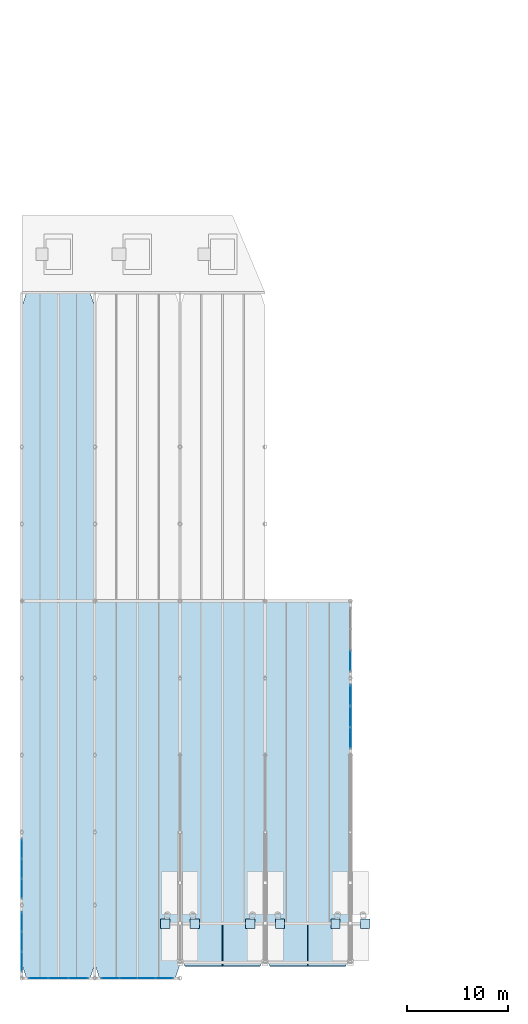
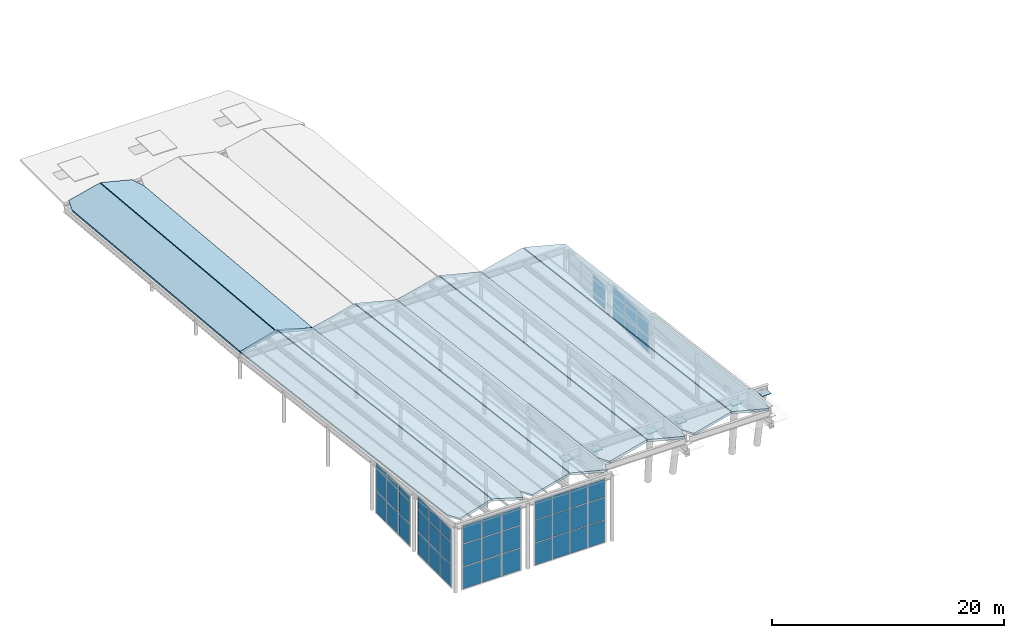
# One storey, part 11 of 14: 53 plates, 10 slabs, 6 elements without a shape of their own.
"""IFC4 building model written with IfcOpenShell, lengths in metres."""

from ifc_helpers import new_model, si_unit, direction, frame, origin, origin_2d, place, context, subcontext, project, spatial, polyline, rectangle, outline, extrude, material, layer, layer_set, type_object, element, aggregate, save


model = new_model("IFC4")

# Units and contexts
model_context = context("Model", 3, precision=1e-05, world=origin(), true_north=direction((0.0, 1.0)))
body_context = subcontext(model_context, "Body", "Model", "MODEL_VIEW")
ifc_project = project(units=[si_unit("LENGTHUNIT", "METRE"), si_unit("AREAUNIT", "SQUARE_METRE"), si_unit("VOLUMEUNIT", "CUBIC_METRE"), si_unit("PLANEANGLEUNIT", "RADIAN"), si_unit("MASSUNIT", "GRAM", prefix="KILO")], contexts=[model_context])

# Site, building, storey
site_placement = place(None, origin())
site = spatial("IfcSite", under=ifc_project, at=site_placement, CompositionType="ELEMENT")
building_placement = place(site_placement, origin())
building = spatial("IfcBuilding", under=site, at=building_placement, Name="Xicomal Pleat Aquarium", CompositionType="ELEMENT")
storey_placement = place(building_placement, frame((0.0, 0.0, 24.0)))
storey = spatial("IfcBuildingStorey", under=building, at=storey_placement, Name="RF", CompositionType="ELEMENT", Elevation=24.0)

# Curtain wall, plates
ifc_material_1 = material(Name="Bronze anodized aluminium 6063-T6", Category="aluminium")
ifc_layer_1 = layer(ifc_material_1, 0.159912109375)
ifc_layer_set_1 = layer_set([ifc_layer_1], Name="Bronze anodized aluminium 6063-T6")
curtain_wall_type_1 = type_object("IfcCurtainWallType", Name="CW-SYS-03", PredefinedType="NOTDEFINED", material=ifc_layer_set_1)
curtain_wall_1_placement = place(storey_placement, origin())
curtain_wall_1 = element("IfcCurtainWall", 1, at=curtain_wall_1_placement, inside=storey, type_object=curtain_wall_type_1, Name="RF pleated crown clerestory curtain wall CW-RF-03", PredefinedType="NOTDEFINED")
ifc_material_2 = material(Name="Insulated low-E laminated glass", Category="glass")
ifc_layer_2 = layer(ifc_material_2, 0.028076171875)
ifc_layer_set_2 = layer_set([ifc_layer_2], Name="Insulated low-E laminated glass")
plate_type_1 = type_object("IfcPlateType", Name="CWP-GLZ-28", PredefinedType="CURTAIN_PANEL", material=ifc_layer_set_2)
plate_1_placement = place(storey_placement, frame((11.74609375, 0.800048828125, 0.06494140625), z_axis=(0.0, 0.0, 1.0), x_axis=(1.0, 0.0, 0.0)))
plate_1 = element("IfcPlate", 2, at=plate_1_placement, type_object=plate_type_1, Name="CW-03 panel 1.1", PredefinedType="CURTAIN_PANEL", context=body_context, shape_type="SweptSolid", body=[
    extrude(rectangle(XDim=1.6826171875, YDim=0.028076171875, at=origin_2d()), origin(), (0.0, 0.0, 1.0), 2.302490234375),
])
plate_2_placement = place(storey_placement, frame((11.74609375, 0.800048828125, 2.4326171875), z_axis=(0.0, 0.0, 1.0), x_axis=(1.0, 0.0, 0.0)))
plate_2 = element("IfcPlate", 3, at=plate_2_placement, type_object=plate_type_1, Name="CW-03 panel 1.2", PredefinedType="CURTAIN_PANEL", context=body_context, shape_type="SweptSolid", body=[
    extrude(rectangle(XDim=1.6826171875, YDim=0.028076171875, at=origin_2d()), origin(), (0.0, 0.0, 1.0), 2.3349609375),
])
plate_3_placement = place(storey_placement, frame((11.74609375, 0.800048828125, 4.83251953125), z_axis=(0.0, 0.0, 1.0), x_axis=(1.0, 0.0, 0.0)))
plate_3 = element("IfcPlate", 4, at=plate_3_placement, type_object=plate_type_1, Name="CW-03 panel 1.3", PredefinedType="CURTAIN_PANEL", context=body_context, shape_type="SweptSolid", body=[
    extrude(rectangle(XDim=1.6826171875, YDim=0.028076171875, at=origin_2d()), origin(), (0.0, 0.0, 1.0), 1.902587890625),
])
plate_4_placement = place(storey_placement, frame((13.510009765625, 0.800048828125, 0.06494140625), z_axis=(0.0, 0.0, 1.0), x_axis=(1.0, 0.0, 0.0)))
plate_4 = element("IfcPlate", 5, at=plate_4_placement, type_object=plate_type_1, Name="CW-03 panel 2.1", PredefinedType="CURTAIN_PANEL", context=body_context, shape_type="SweptSolid", body=[
    extrude(rectangle(XDim=1.715087890625, YDim=0.028076171875, at=origin_2d()), origin(), (0.0, 0.0, 1.0), 2.302490234375),
])
plate_5_placement = place(storey_placement, frame((13.510009765625, 0.800048828125, 2.4326171875), z_axis=(0.0, 0.0, 1.0), x_axis=(1.0, 0.0, 0.0)))
plate_5 = element("IfcPlate", 6, at=plate_5_placement, type_object=plate_type_1, Name="CW-03 panel 2.2", PredefinedType="CURTAIN_PANEL", context=body_context, shape_type="SweptSolid", body=[
    extrude(rectangle(XDim=1.715087890625, YDim=0.028076171875, at=origin_2d()), origin(), (0.0, 0.0, 1.0), 2.3349609375),
])
plate_6_placement = place(storey_placement, frame((13.510009765625, 0.800048828125, 4.83251953125), z_axis=(0.0, 0.0, 1.0), x_axis=(1.0, 0.0, 0.0)))
plate_6 = element("IfcPlate", 7, at=plate_6_placement, type_object=plate_type_1, Name="CW-03 panel 2.3", PredefinedType="CURTAIN_PANEL", context=body_context, shape_type="SweptSolid", body=[
    extrude(rectangle(XDim=1.715087890625, YDim=0.028076171875, at=origin_2d()), origin(), (0.0, 0.0, 1.0), 1.902587890625),
])
plate_7_placement = place(storey_placement, frame((15.2900390625, 0.800048828125, 0.06494140625), z_axis=(0.0, 0.0, 1.0), x_axis=(1.0, 0.0, 0.0)))
plate_7 = element("IfcPlate", 8, at=plate_7_placement, type_object=plate_type_1, Name="CW-03 panel 3.1", PredefinedType="CURTAIN_PANEL", context=body_context, shape_type="SweptSolid", body=[
    extrude(rectangle(XDim=1.715087890625, YDim=0.028076171875, at=origin_2d()), origin(), (0.0, 0.0, 1.0), 2.302490234375),
])
plate_8_placement = place(storey_placement, frame((15.2900390625, 0.800048828125, 2.4326171875), z_axis=(0.0, 0.0, 1.0), x_axis=(1.0, 0.0, 0.0)))
plate_8 = element("IfcPlate", 9, at=plate_8_placement, type_object=plate_type_1, Name="CW-03 panel 3.2", PredefinedType="CURTAIN_PANEL", context=body_context, shape_type="SweptSolid", body=[
    extrude(rectangle(XDim=1.715087890625, YDim=0.028076171875, at=origin_2d()), origin(), (0.0, 0.0, 1.0), 2.3349609375),
])
plate_9_placement = place(storey_placement, frame((15.2900390625, 0.800048828125, 4.83251953125), z_axis=(0.0, 0.0, 1.0), x_axis=(1.0, 0.0, 0.0)))
plate_9 = element("IfcPlate", 10, at=plate_9_placement, type_object=plate_type_1, Name="CW-03 panel 3.3", PredefinedType="CURTAIN_PANEL", context=body_context, shape_type="SweptSolid", body=[
    extrude(rectangle(XDim=1.715087890625, YDim=0.028076171875, at=origin_2d()), origin(), (0.0, 0.0, 1.0), 1.902587890625),
])
plate_10_placement = place(storey_placement, frame((17.0537109375, 0.800048828125, 0.06494140625), z_axis=(0.0, 0.0, 1.0), x_axis=(1.0, 0.0, 0.0)))
plate_10 = element("IfcPlate", 11, at=plate_10_placement, type_object=plate_type_1, Name="CW-03 panel 4.1", PredefinedType="CURTAIN_PANEL", context=body_context, shape_type="SweptSolid", body=[
    extrude(rectangle(XDim=1.6826171875, YDim=0.028076171875, at=origin_2d()), origin(), (0.0, 0.0, 1.0), 2.302490234375),
])
plate_11_placement = place(storey_placement, frame((17.0537109375, 0.800048828125, 2.4326171875), z_axis=(0.0, 0.0, 1.0), x_axis=(1.0, 0.0, 0.0)))
plate_11 = element("IfcPlate", 12, at=plate_11_placement, type_object=plate_type_1, Name="CW-03 panel 4.2", PredefinedType="CURTAIN_PANEL", context=body_context, shape_type="SweptSolid", body=[
    extrude(rectangle(XDim=1.6826171875, YDim=0.028076171875, at=origin_2d()), origin(), (0.0, 0.0, 1.0), 2.3349609375),
])
plate_12_placement = place(storey_placement, frame((17.0537109375, 0.800048828125, 4.83251953125), z_axis=(0.0, 0.0, 1.0), x_axis=(1.0, 0.0, 0.0)))
plate_12 = element("IfcPlate", 13, at=plate_12_placement, type_object=plate_type_1, Name="CW-03 panel 4.3", PredefinedType="CURTAIN_PANEL", context=body_context, shape_type="SweptSolid", body=[
    extrude(rectangle(XDim=1.6826171875, YDim=0.028076171875, at=origin_2d()), origin(), (0.0, 0.0, 1.0), 1.902587890625),
])
aggregate(curtain_wall_1, [plate_1, plate_2, plate_3, plate_4, plate_5, plate_6, plate_7, plate_8, plate_9, plate_10, plate_11, plate_12])

curtain_wall_2_placement = place(storey_placement, origin())
curtain_wall_2 = element("IfcCurtainWall", 14, at=curtain_wall_2_placement, inside=storey, type_object=curtain_wall_type_1, Name="RF pleated crown clerestory curtain wall CW-RF-06", PredefinedType="NOTDEFINED")
plate_13_placement = place(storey_placement, frame((35.39990234375, 32.109619140625, 0.06494140625), z_axis=(0.0, 0.0, 1.0), x_axis=(0.0, 1.0, 0.0)))
plate_13 = element("IfcPlate", 15, at=plate_13_placement, type_object=plate_type_1, Name="CW-03 panel 1.1", PredefinedType="CURTAIN_PANEL", context=body_context, shape_type="SweptSolid", body=[
    extrude(rectangle(XDim=2.00927734375, YDim=0.028076171875, at=origin_2d()), origin(), (0.0, 0.0, 1.0), 1.202392578125),
])
plate_14_placement = place(storey_placement, frame((35.39990234375, 32.109619140625, 1.33251953125), z_axis=(0.0, 0.0, 1.0), x_axis=(0.0, 1.0, 0.0)))
plate_14 = element("IfcPlate", 16, at=plate_14_placement, type_object=plate_type_1, Name="CW-03 panel 1.2", PredefinedType="CURTAIN_PANEL", context=body_context, shape_type="SweptSolid", body=[
    extrude(rectangle(XDim=2.00927734375, YDim=0.028076171875, at=origin_2d()), origin(), (0.0, 0.0, 1.0), 1.202392578125),
])
aggregate(curtain_wall_2, [plate_13, plate_14])

ifc_material_3 = material(Name="Bronze anodized aluminium 6063-T6", Category="aluminium")
ifc_layer_3 = layer(ifc_material_3, 0.159912109375)
ifc_layer_set_3 = layer_set([ifc_layer_3], Name="Bronze anodized aluminium 6063-T6")
curtain_wall_type_2 = type_object("IfcCurtainWallType", Name="CW-SYS-04", PredefinedType="NOTDEFINED", material=ifc_layer_set_3)
curtain_wall_3_placement = place(storey_placement, origin())
curtain_wall_3 = element("IfcCurtainWall", 17, at=curtain_wall_3_placement, inside=storey, type_object=curtain_wall_type_2, Name="RF pleated crown clerestory curtain wall CW-RF-01", PredefinedType="NOTDEFINED")
ifc_material_4 = material(Name="Insulated low-E laminated glass", Category="glass")
ifc_layer_4 = layer(ifc_material_4, 0.031982421875)
ifc_layer_set_4 = layer_set([ifc_layer_4], Name="Insulated low-E laminated glass")
plate_type_2 = type_object("IfcPlateType", Name="CWP-GLZ-32", PredefinedType="CURTAIN_PANEL", material=ifc_layer_set_4)
plate_15_placement = place(storey_placement, frame((3.0, 2.4453125, 0.074951171875), z_axis=(0.0, 0.0, 1.0), x_axis=(0.0, 1.0, 0.0)))
plate_15 = element("IfcPlate", 18, at=plate_15_placement, type_object=plate_type_2, Name="CW-04 panel 1.1", PredefinedType="CURTAIN_PANEL", context=body_context, shape_type="SweptSolid", body=[
    extrude(rectangle(XDim=1.86083984375, YDim=0.031982421875, at=origin_2d()), origin(), (0.0, 0.0, 1.0), 2.28759765625),
])
plate_16_placement = place(storey_placement, frame((3.0, 2.4453125, 2.4375), z_axis=(0.0, 0.0, 1.0), x_axis=(0.0, 1.0, 0.0)))
plate_16 = element("IfcPlate", 19, at=plate_16_placement, type_object=plate_type_2, Name="CW-04 panel 1.2", PredefinedType="CURTAIN_PANEL", context=body_context, shape_type="SweptSolid", body=[
    extrude(rectangle(XDim=1.86083984375, YDim=0.031982421875, at=origin_2d()), origin(), (0.0, 0.0, 1.0), 2.324951171875),
])
plate_17_placement = place(storey_placement, frame((3.0, 2.4453125, 4.83740234375), z_axis=(0.0, 0.0, 1.0), x_axis=(0.0, 1.0, 0.0)))
plate_17 = element("IfcPlate", 20, at=plate_17_placement, type_object=plate_type_2, Name="CW-04 panel 1.3", PredefinedType="CURTAIN_PANEL", context=body_context, shape_type="SweptSolid", body=[
    extrude(rectangle(XDim=1.86083984375, YDim=0.031982421875, at=origin_2d()), origin(), (0.0, 0.0, 1.0), 1.28759765625),
])
plate_18_placement = place(storey_placement, frame((3.0, 4.39990234375, 0.074951171875), z_axis=(0.0, 0.0, 1.0), x_axis=(0.0, 1.0, 0.0)))
plate_18 = element("IfcPlate", 21, at=plate_18_placement, type_object=plate_type_2, Name="CW-04 panel 2.1", PredefinedType="CURTAIN_PANEL", context=body_context, shape_type="SweptSolid", body=[
    extrude(rectangle(XDim=1.898193359375, YDim=0.031982421875, at=origin_2d()), origin(), (0.0, 0.0, 1.0), 2.28759765625),
])
plate_19_placement = place(storey_placement, frame((3.0, 4.39990234375, 2.4375), z_axis=(0.0, 0.0, 1.0), x_axis=(0.0, 1.0, 0.0)))
plate_19 = element("IfcPlate", 22, at=plate_19_placement, type_object=plate_type_2, Name="CW-04 panel 2.2", PredefinedType="CURTAIN_PANEL", context=body_context, shape_type="SweptSolid", body=[
    extrude(rectangle(XDim=1.898193359375, YDim=0.031982421875, at=origin_2d()), origin(), (0.0, 0.0, 1.0), 2.324951171875),
])
plate_20_placement = place(storey_placement, frame((3.0, 4.39990234375, 4.83740234375), z_axis=(0.0, 0.0, 1.0), x_axis=(0.0, 1.0, 0.0)))
plate_20 = element("IfcPlate", 23, at=plate_20_placement, type_object=plate_type_2, Name="CW-04 panel 2.3", PredefinedType="CURTAIN_PANEL", context=body_context, shape_type="SweptSolid", body=[
    extrude(rectangle(XDim=1.898193359375, YDim=0.031982421875, at=origin_2d()), origin(), (0.0, 0.0, 1.0), 1.28759765625),
])
plate_21_placement = place(storey_placement, frame((3.0, 6.3544921875, 0.074951171875), z_axis=(0.0, 0.0, 1.0), x_axis=(0.0, 1.0, 0.0)))
plate_21 = element("IfcPlate", 24, at=plate_21_placement, type_object=plate_type_2, Name="CW-04 panel 3.1", PredefinedType="CURTAIN_PANEL", context=body_context, shape_type="SweptSolid", body=[
    extrude(rectangle(XDim=1.86083984375, YDim=0.031982421875, at=origin_2d()), origin(), (0.0, 0.0, 1.0), 2.28759765625),
])
plate_22_placement = place(storey_placement, frame((3.0, 6.3544921875, 2.4375), z_axis=(0.0, 0.0, 1.0), x_axis=(0.0, 1.0, 0.0)))
plate_22 = element("IfcPlate", 25, at=plate_22_placement, type_object=plate_type_2, Name="CW-04 panel 3.2", PredefinedType="CURTAIN_PANEL", context=body_context, shape_type="SweptSolid", body=[
    extrude(rectangle(XDim=1.86083984375, YDim=0.031982421875, at=origin_2d()), origin(), (0.0, 0.0, 1.0), 2.324951171875),
])
plate_23_placement = place(storey_placement, frame((3.0, 6.3544921875, 4.83740234375), z_axis=(0.0, 0.0, 1.0), x_axis=(0.0, 1.0, 0.0)))
plate_23 = element("IfcPlate", 26, at=plate_23_placement, type_object=plate_type_2, Name="CW-04 panel 3.3", PredefinedType="CURTAIN_PANEL", context=body_context, shape_type="SweptSolid", body=[
    extrude(rectangle(XDim=1.86083984375, YDim=0.031982421875, at=origin_2d()), origin(), (0.0, 0.0, 1.0), 1.28759765625),
])
aggregate(curtain_wall_3, [plate_15, plate_16, plate_17, plate_18, plate_19, plate_20, plate_21, plate_22, plate_23])

curtain_wall_4_placement = place(storey_placement, origin())
curtain_wall_4 = element("IfcCurtainWall", 27, at=curtain_wall_4_placement, inside=storey, type_object=curtain_wall_type_2, Name="RF pleated crown clerestory curtain wall CW-RF-04", PredefinedType="NOTDEFINED")
plate_24_placement = place(storey_placement, frame((4.6455078125, 0.800048828125, 0.074951171875), z_axis=(0.0, 0.0, 1.0), x_axis=(1.0, 0.0, 0.0)))
plate_24 = element("IfcPlate", 28, at=plate_24_placement, type_object=plate_type_2, Name="CW-04 panel 1.1", PredefinedType="CURTAIN_PANEL", context=body_context, shape_type="SweptSolid", body=[
    extrude(rectangle(XDim=1.86083984375, YDim=0.031982421875, at=origin_2d()), origin(), (0.0, 0.0, 1.0), 2.28759765625),
])
plate_25_placement = place(storey_placement, frame((4.6455078125, 0.800048828125, 2.4375), z_axis=(0.0, 0.0, 1.0), x_axis=(1.0, 0.0, 0.0)))
plate_25 = element("IfcPlate", 29, at=plate_25_placement, type_object=plate_type_2, Name="CW-04 panel 1.2", PredefinedType="CURTAIN_PANEL", context=body_context, shape_type="SweptSolid", body=[
    extrude(rectangle(XDim=1.86083984375, YDim=0.031982421875, at=origin_2d()), origin(), (0.0, 0.0, 1.0), 2.324951171875),
])
plate_26_placement = place(storey_placement, frame((4.6455078125, 0.800048828125, 4.83740234375), z_axis=(0.0, 0.0, 1.0), x_axis=(1.0, 0.0, 0.0)))
plate_26 = element("IfcPlate", 30, at=plate_26_placement, type_object=plate_type_2, Name="CW-04 panel 1.3", PredefinedType="CURTAIN_PANEL", context=body_context, shape_type="SweptSolid", body=[
    extrude(rectangle(XDim=1.86083984375, YDim=0.031982421875, at=origin_2d()), origin(), (0.0, 0.0, 1.0), 1.887451171875),
])
plate_27_placement = place(storey_placement, frame((6.60009765625, 0.800048828125, 0.074951171875), z_axis=(0.0, 0.0, 1.0), x_axis=(1.0, 0.0, 0.0)))
plate_27 = element("IfcPlate", 31, at=plate_27_placement, type_object=plate_type_2, Name="CW-04 panel 2.1", PredefinedType="CURTAIN_PANEL", context=body_context, shape_type="SweptSolid", body=[
    extrude(rectangle(XDim=1.898193359375, YDim=0.031982421875, at=origin_2d()), origin(), (0.0, 0.0, 1.0), 2.28759765625),
])
plate_28_placement = place(storey_placement, frame((6.60009765625, 0.800048828125, 2.4375), z_axis=(0.0, 0.0, 1.0), x_axis=(1.0, 0.0, 0.0)))
plate_28 = element("IfcPlate", 32, at=plate_28_placement, type_object=plate_type_2, Name="CW-04 panel 2.2", PredefinedType="CURTAIN_PANEL", context=body_context, shape_type="SweptSolid", body=[
    extrude(rectangle(XDim=1.898193359375, YDim=0.031982421875, at=origin_2d()), origin(), (0.0, 0.0, 1.0), 2.324951171875),
])
plate_29_placement = place(storey_placement, frame((6.60009765625, 0.800048828125, 4.83740234375), z_axis=(0.0, 0.0, 1.0), x_axis=(1.0, 0.0, 0.0)))
plate_29 = element("IfcPlate", 33, at=plate_29_placement, type_object=plate_type_2, Name="CW-04 panel 2.3", PredefinedType="CURTAIN_PANEL", context=body_context, shape_type="SweptSolid", body=[
    extrude(rectangle(XDim=1.898193359375, YDim=0.031982421875, at=origin_2d()), origin(), (0.0, 0.0, 1.0), 1.887451171875),
])
plate_30_placement = place(storey_placement, frame((8.5546875, 0.800048828125, 0.074951171875), z_axis=(0.0, 0.0, 1.0), x_axis=(1.0, 0.0, 0.0)))
plate_30 = element("IfcPlate", 34, at=plate_30_placement, type_object=plate_type_2, Name="CW-04 panel 3.1", PredefinedType="CURTAIN_PANEL", context=body_context, shape_type="SweptSolid", body=[
    extrude(rectangle(XDim=1.86083984375, YDim=0.031982421875, at=origin_2d()), origin(), (0.0, 0.0, 1.0), 2.28759765625),
])
plate_31_placement = place(storey_placement, frame((8.5546875, 0.800048828125, 2.4375), z_axis=(0.0, 0.0, 1.0), x_axis=(1.0, 0.0, 0.0)))
plate_31 = element("IfcPlate", 35, at=plate_31_placement, type_object=plate_type_2, Name="CW-04 panel 3.2", PredefinedType="CURTAIN_PANEL", context=body_context, shape_type="SweptSolid", body=[
    extrude(rectangle(XDim=1.86083984375, YDim=0.031982421875, at=origin_2d()), origin(), (0.0, 0.0, 1.0), 2.324951171875),
])
plate_32_placement = place(storey_placement, frame((8.5546875, 0.800048828125, 4.83740234375), z_axis=(0.0, 0.0, 1.0), x_axis=(1.0, 0.0, 0.0)))
plate_32 = element("IfcPlate", 36, at=plate_32_placement, type_object=plate_type_2, Name="CW-04 panel 3.3", PredefinedType="CURTAIN_PANEL", context=body_context, shape_type="SweptSolid", body=[
    extrude(rectangle(XDim=1.86083984375, YDim=0.031982421875, at=origin_2d()), origin(), (0.0, 0.0, 1.0), 1.887451171875),
])
aggregate(curtain_wall_4, [plate_24, plate_25, plate_26, plate_27, plate_28, plate_29, plate_30, plate_31, plate_32])

ifc_material_5 = material(Name="Bronze anodized aluminium 6063-T6", Category="aluminium")
ifc_layer_5 = layer(ifc_material_5, 0.159912109375)
ifc_layer_set_5 = layer_set([ifc_layer_5], Name="Bronze anodized aluminium 6063-T6")
curtain_wall_type_3 = type_object("IfcCurtainWallType", Name="CW-SYS-05", PredefinedType="NOTDEFINED", material=ifc_layer_set_5)
curtain_wall_5_placement = place(storey_placement, origin())
curtain_wall_5 = element("IfcCurtainWall", 37, at=curtain_wall_5_placement, inside=storey, type_object=curtain_wall_type_3, Name="RF pleated crown clerestory curtain wall CW-RF-02", PredefinedType="NOTDEFINED")
ifc_material_6 = material(Name="Insulated low-E laminated glass", Category="glass")
ifc_layer_6 = layer(ifc_material_6, 0.035888671875)
ifc_layer_set_6 = layer_set([ifc_layer_6], Name="Insulated low-E laminated glass")
plate_type_3 = type_object("IfcPlateType", Name="CWP-GLZ-36", PredefinedType="CURTAIN_PANEL", material=ifc_layer_set_6)
plate_33_placement = place(storey_placement, frame((3.0, 9.64794921875, 0.0849609375), z_axis=(0.0, 0.0, 1.0), x_axis=(0.0, 1.0, 0.0)))
plate_33 = element("IfcPlate", 38, at=plate_33_placement, type_object=plate_type_3, Name="CW-05 panel 1.1", PredefinedType="CURTAIN_PANEL", context=body_context, shape_type="SweptSolid", body=[
    extrude(rectangle(XDim=1.845703125, YDim=0.035888671875, at=origin_2d()), origin(), (0.0, 0.0, 1.0), 2.2724609375),
])
plate_34_placement = place(storey_placement, frame((3.0, 9.64794921875, 2.442626953125), z_axis=(0.0, 0.0, 1.0), x_axis=(0.0, 1.0, 0.0)))
plate_34 = element("IfcPlate", 39, at=plate_34_placement, type_object=plate_type_3, Name="CW-05 panel 1.2", PredefinedType="CURTAIN_PANEL", context=body_context, shape_type="SweptSolid", body=[
    extrude(rectangle(XDim=1.845703125, YDim=0.035888671875, at=origin_2d()), origin(), (0.0, 0.0, 1.0), 2.31494140625),
])
plate_35_placement = place(storey_placement, frame((3.0, 9.64794921875, 4.84228515625), z_axis=(0.0, 0.0, 1.0), x_axis=(0.0, 1.0, 0.0)))
plate_35 = element("IfcPlate", 40, at=plate_35_placement, type_object=plate_type_3, Name="CW-05 panel 1.3", PredefinedType="CURTAIN_PANEL", context=body_context, shape_type="SweptSolid", body=[
    extrude(rectangle(XDim=1.845703125, YDim=0.035888671875, at=origin_2d()), origin(), (0.0, 0.0, 1.0), 0.472412109375),
])
plate_36_placement = place(storey_placement, frame((3.0, 11.60009765625, 0.0849609375), z_axis=(0.0, 0.0, 1.0), x_axis=(0.0, 1.0, 0.0)))
plate_36 = element("IfcPlate", 41, at=plate_36_placement, type_object=plate_type_3, Name="CW-05 panel 2.1", PredefinedType="CURTAIN_PANEL", context=body_context, shape_type="SweptSolid", body=[
    extrude(rectangle(XDim=1.88818359375, YDim=0.035888671875, at=origin_2d()), origin(), (0.0, 0.0, 1.0), 2.2724609375),
])
plate_37_placement = place(storey_placement, frame((3.0, 11.60009765625, 2.442626953125), z_axis=(0.0, 0.0, 1.0), x_axis=(0.0, 1.0, 0.0)))
plate_37 = element("IfcPlate", 42, at=plate_37_placement, type_object=plate_type_3, Name="CW-05 panel 2.2", PredefinedType="CURTAIN_PANEL", context=body_context, shape_type="SweptSolid", body=[
    extrude(rectangle(XDim=1.88818359375, YDim=0.035888671875, at=origin_2d()), origin(), (0.0, 0.0, 1.0), 2.31494140625),
])
plate_38_placement = place(storey_placement, frame((3.0, 11.60009765625, 4.84228515625), z_axis=(0.0, 0.0, 1.0), x_axis=(0.0, 1.0, 0.0)))
plate_38 = element("IfcPlate", 43, at=plate_38_placement, type_object=plate_type_3, Name="CW-05 panel 2.3", PredefinedType="CURTAIN_PANEL", context=body_context, shape_type="SweptSolid", body=[
    extrude(rectangle(XDim=1.88818359375, YDim=0.035888671875, at=origin_2d()), origin(), (0.0, 0.0, 1.0), 0.472412109375),
])
plate_39_placement = place(storey_placement, frame((3.0, 13.552001953125, 0.0849609375), z_axis=(0.0, 0.0, 1.0), x_axis=(0.0, 1.0, 0.0)))
plate_39 = element("IfcPlate", 44, at=plate_39_placement, type_object=plate_type_3, Name="CW-05 panel 3.1", PredefinedType="CURTAIN_PANEL", context=body_context, shape_type="SweptSolid", body=[
    extrude(rectangle(XDim=1.845703125, YDim=0.035888671875, at=origin_2d()), origin(), (0.0, 0.0, 1.0), 2.2724609375),
])
plate_40_placement = place(storey_placement, frame((3.0, 13.552001953125, 2.442626953125), z_axis=(0.0, 0.0, 1.0), x_axis=(0.0, 1.0, 0.0)))
plate_40 = element("IfcPlate", 45, at=plate_40_placement, type_object=plate_type_3, Name="CW-05 panel 3.2", PredefinedType="CURTAIN_PANEL", context=body_context, shape_type="SweptSolid", body=[
    extrude(rectangle(XDim=1.845703125, YDim=0.035888671875, at=origin_2d()), origin(), (0.0, 0.0, 1.0), 2.31494140625),
])
plate_41_placement = place(storey_placement, frame((3.0, 13.552001953125, 4.84228515625), z_axis=(0.0, 0.0, 1.0), x_axis=(0.0, 1.0, 0.0)))
plate_41 = element("IfcPlate", 46, at=plate_41_placement, type_object=plate_type_3, Name="CW-05 panel 3.3", PredefinedType="CURTAIN_PANEL", context=body_context, shape_type="SweptSolid", body=[
    extrude(rectangle(XDim=1.845703125, YDim=0.035888671875, at=origin_2d()), origin(), (0.0, 0.0, 1.0), 0.472412109375),
])
aggregate(curtain_wall_5, [plate_33, plate_34, plate_35, plate_36, plate_37, plate_38, plate_39, plate_40, plate_41])

curtain_wall_6_placement = place(storey_placement, origin())
curtain_wall_6 = element("IfcCurtainWall", 47, at=curtain_wall_6_placement, inside=storey, type_object=curtain_wall_type_3, Name="RF pleated crown clerestory curtain wall CW-RF-05", PredefinedType="NOTDEFINED")
plate_42_placement = place(storey_placement, frame((35.39990234375, 24.5146484375, 0.0849609375), z_axis=(0.0, 0.0, 1.0), x_axis=(0.0, 1.0, 0.0)))
plate_42 = element("IfcPlate", 48, at=plate_42_placement, type_object=plate_type_3, Name="CW-05 panel 1.1", PredefinedType="CURTAIN_PANEL", context=body_context, shape_type="SweptSolid", body=[
    extrude(rectangle(XDim=1.979248046875, YDim=0.035888671875, at=origin_2d()), origin(), (0.0, 0.0, 1.0), 1.62255859375),
])
plate_43_placement = place(storey_placement, frame((35.39990234375, 24.5146484375, 1.79248046875), z_axis=(0.0, 0.0, 1.0), x_axis=(0.0, 1.0, 0.0)))
plate_43 = element("IfcPlate", 49, at=plate_43_placement, type_object=plate_type_3, Name="CW-05 panel 1.2", PredefinedType="CURTAIN_PANEL", context=body_context, shape_type="SweptSolid", body=[
    extrude(rectangle(XDim=1.979248046875, YDim=0.035888671875, at=origin_2d()), origin(), (0.0, 0.0, 1.0), 1.62255859375),
])
plate_44_placement = place(storey_placement, frame((35.39990234375, 26.60009765625, 0.0849609375), z_axis=(0.0, 0.0, 1.0), x_axis=(0.0, 1.0, 0.0)))
plate_44 = element("IfcPlate", 50, at=plate_44_placement, type_object=plate_type_3, Name="CW-05 panel 2.1", PredefinedType="CURTAIN_PANEL", context=body_context, shape_type="SweptSolid", body=[
    extrude(rectangle(XDim=2.021728515625, YDim=0.035888671875, at=origin_2d()), origin(), (0.0, 0.0, 1.0), 1.62255859375),
])
plate_45_placement = place(storey_placement, frame((35.39990234375, 26.60009765625, 1.79248046875), z_axis=(0.0, 0.0, 1.0), x_axis=(0.0, 1.0, 0.0)))
plate_45 = element("IfcPlate", 51, at=plate_45_placement, type_object=plate_type_3, Name="CW-05 panel 2.2", PredefinedType="CURTAIN_PANEL", context=body_context, shape_type="SweptSolid", body=[
    extrude(rectangle(XDim=2.021728515625, YDim=0.035888671875, at=origin_2d()), origin(), (0.0, 0.0, 1.0), 1.62255859375),
])
plate_46_placement = place(storey_placement, frame((35.39990234375, 28.685302734375, 0.0849609375), z_axis=(0.0, 0.0, 1.0), x_axis=(0.0, 1.0, 0.0)))
plate_46 = element("IfcPlate", 52, at=plate_46_placement, type_object=plate_type_3, Name="CW-05 panel 3.1", PredefinedType="CURTAIN_PANEL", context=body_context, shape_type="SweptSolid", body=[
    extrude(rectangle(XDim=1.979248046875, YDim=0.035888671875, at=origin_2d()), origin(), (0.0, 0.0, 1.0), 1.62255859375),
])
plate_47_placement = place(storey_placement, frame((35.39990234375, 28.685302734375, 1.79248046875), z_axis=(0.0, 0.0, 1.0), x_axis=(0.0, 1.0, 0.0)))
plate_47 = element("IfcPlate", 53, at=plate_47_placement, type_object=plate_type_3, Name="CW-05 panel 3.2", PredefinedType="CURTAIN_PANEL", context=body_context, shape_type="SweptSolid", body=[
    extrude(rectangle(XDim=1.979248046875, YDim=0.035888671875, at=origin_2d()), origin(), (0.0, 0.0, 1.0), 1.62255859375),
])
aggregate(curtain_wall_6, [plate_42, plate_43, plate_44, plate_45, plate_46, plate_47])

# Plates
ifc_material_7 = material(Name="Structural steel A992 Gr 50", Category="steel")
ifc_layer_7 = layer(ifc_material_7, 0.030029296875)
ifc_layer_set_7 = layer_set([ifc_layer_7], Name="Structural steel A992 Gr 50")
plate_type_4 = type_object("IfcPlateType", Name="PLT-CAP-30", PredefinedType="SHEET", material=ifc_layer_set_7)
for number, where, z_axis, x_axis, name in (
    (54, (17.135009765625, 6.18505859375, 5.8974609375), (0.0, 0.0, 1.0), (1.0, 0.0, 0.0), "RF splayed column top cap plate 03W"),
    (55, (20.06494140625, 6.18505859375, 5.8974609375), (0.0, 0.0, 1.0), (1.0, 0.0, 0.0), "RF splayed column top cap plate 03E"),
    (56, (25.534912109375, 6.18505859375, 5.8974609375), (0.0, 0.0, 1.0), (1.0, 0.0, 0.0), "RF splayed column top cap plate 04W"),
    (57, (28.465087890625, 6.18505859375, 5.8974609375), (0.0, 0.0, 1.0), (1.0, 0.0, 0.0), "RF splayed column top cap plate 04E"),
    (58, (33.93505859375, 6.18505859375, 5.8974609375), (0.0, 0.0, 1.0), (1.0, 0.0, 0.0), "RF splayed column top cap plate 05W"),
    (59, (36.864990234375, 6.18505859375, 5.8974609375), (0.0, 0.0, 1.0), (1.0, 0.0, 0.0), "RF splayed column top cap plate 05E"),
):
    element("IfcPlate", number, at=place(storey_placement, frame(where, z_axis=z_axis, x_axis=x_axis)), inside=storey, type_object=plate_type_4, Name=name, PredefinedType="SHEET", context=body_context, shape_type="SweptSolid", body=[
        extrude(rectangle(XDim=0.919921875, YDim=0.919921875, at=origin_2d()), origin(), (0.0, 0.0, 1.0), 0.034912109375),
    ])

# Slabs
ifc_material_8 = material(Name="Precast concrete C40/50", Category="concrete")
ifc_layer_8 = layer(ifc_material_8, 0.215087890625)
ifc_layer_set_8 = layer_set([ifc_layer_8], Name="Precast concrete C40/50")
slab_type_1 = type_object("IfcSlabType", Name="SLB-ROOF-215", PredefinedType="ROOF", material=ifc_layer_set_8)
slab_1_placement = place(storey_placement, frame((10.64990234375, 0.800048828125, 7.58642578125), z_axis=(-0.249438035921, 0.120628635478, 0.9608482703), x_axis=(0.967915191876, -3.5652746e-05, 0.251277098169)))
element("IfcSlab", 60, at=slab_1_placement, inside=storey, type_object=slab_type_1, Name="Pleated roof T1 bay 2 west facet", PredefinedType="ROOF", context=body_context, shape_type="SweptSolid", body=[
    extrude(outline(polyline([(0.0, 0.0), (3.83348430388414, 1.3877787807814457e-17), (2.658468218272379, 37.47363067792365), (-1.639547766779164, 37.473458744890976), (-0.5088127408898138, 1.4100587670669131), (0.0, 0.0)])), origin(), (0.0, 0.0, -1.0), 0.215087890625),
])
slab_2_placement = place(storey_placement, frame((14.43994140625, 0.800048828125, 8.55078125), z_axis=(0.249438319427, 0.120627818822, 0.960848299227), x_axis=(0.967915066605, 3.7538868e-05, -0.251277580434)))
element("IfcSlab", 61, at=slab_2_placement, inside=storey, type_object=slab_type_1, Name="Pleated roof T1 bay 2 east facet", PredefinedType="ROOF", context=body_context, shape_type="SweptSolid", body=[
    extrude(outline(polyline([(0.0, 0.0), (3.833247996790178, -1.3877787807814457e-17), (4.342299769673617, 1.4100503756700675), (5.47310448657386, 37.47344816800728), (1.1750885019013677, 37.4736284066442), (0.0, 0.0)])), origin(), (0.0, 0.0, -1.0), 0.215087890625),
])
slab_3_placement = place(storey_placement, frame((27.449951171875, 2.0, 7.435791015625), z_axis=(-0.249425416968, 0.120626393636, 0.960851827562), x_axis=(0.967918628427, -3.1770364e-05, 0.25126386078)))
element("IfcSlab", 62, at=slab_3_placement, inside=storey, type_object=slab_type_1, Name="Pleated roof T1 bay 4 west facet", PredefinedType="ROOF", context=body_context, shape_type="SweptSolid", body=[
    extrude(outline(polyline([(0.0, 0.0), (3.8331866366702565, -1.3877787807814457e-17), (2.6963253453599068, 36.26483314035775), (-1.6014543338399445, 36.26469226995123), (-0.5088049934637118, 1.4100615697020769), (0.0, 0.0)])), origin(), (0.0, 0.0, -1.0), 0.215087890625),
])
slab_4_placement = place(storey_placement, frame((31.239990234375, 2.0, 8.39990234375), z_axis=(0.249425416968, 0.120626393636, 0.960851827562), x_axis=(0.967918628427, 3.1770364e-05, -0.25126386078)))
element("IfcSlab", 63, at=slab_4_placement, inside=storey, type_object=slab_type_1, Name="Pleated roof T1 bay 4 east facet", PredefinedType="ROOF", context=body_context, shape_type="SweptSolid", body=[
    extrude(outline(polyline([(0.0, 0.0), (3.8331866366702565, 1.3877787807814457e-17), (4.341991630133968, 1.4100615697020769), (5.434640970510202, 36.26469226995123), (1.1368612913103495, 36.26483314035775), (0.0, 0.0)])), origin(), (0.0, 0.0, -1.0), 0.215087890625),
])
ifc_material_9 = material(Name="Precast concrete C40/50", Category="concrete")
ifc_layer_9 = layer(ifc_material_9, 0.235107421875)
ifc_layer_set_9 = layer_set([ifc_layer_9], Name="Precast concrete C40/50")
slab_type_2 = type_object("IfcSlabType", Name="SLB-ROOF-235", PredefinedType="ROOF", material=ifc_layer_set_9)
slab_5_placement = place(storey_placement, frame((3.449951171875, 0.800048828125, 7.605712890625), z_axis=(-0.288227106633, 0.119274647299, 0.950104569778), x_axis=(0.956933932436, -5.4912625e-05, 0.290305780061)))
element("IfcSlab", 64, at=slab_5_placement, inside=storey, type_object=slab_type_2, Name="Pleated roof T1 bay 1 west facet", PredefinedType="ROOF", context=body_context, shape_type="SweptSolid", body=[
    extrude(outline(polyline([(0.0, 0.0), (3.250526132793132, -1.3877787807814457e-17), (1.8924945713286112, 37.46744465520705), (-1.827728345662167, 37.46722085713729), (-0.5208748448464569, 1.4097734514197156), (0.0, 0.0)])), origin(), (0.0, 0.0, -1.0), 0.235107421875),
])
slab_6_placement = place(storey_placement, frame((6.639892578125, 0.800048828125, 8.55078125), z_axis=(0.288227106633, 0.119274647299, 0.950104569778), x_axis=(0.956933932436, 5.4912625e-05, -0.290305780061)))
element("IfcSlab", 65, at=slab_6_placement, inside=storey, type_object=slab_type_2, Name="Pleated roof T1 bay 1 east facet", PredefinedType="ROOF", context=body_context, shape_type="SweptSolid", body=[
    extrude(outline(polyline([(0.0, 0.0), (3.250526132793132, 1.3877787807814457e-17), (3.7714009776395887, 1.4097734514197153), (5.078254478455299, 37.46722085713729), (1.3580315614645204, 37.46744465520705), (0.0, 0.0)])), origin(), (0.0, 0.0, -1.0), 0.235107421875),
])
slab_7_placement = place(storey_placement, frame((19.050048828125, 2.0, 7.435791015625), z_axis=(-0.249425416968, 0.120626393636, 0.960851827562), x_axis=(0.967918628427, -3.1770364e-05, 0.25126386078)))
element("IfcSlab", 66, at=slab_7_placement, inside=storey, type_object=slab_type_2, Name="Pleated roof T1 bay 3 west facet", PredefinedType="ROOF", context=body_context, shape_type="SweptSolid", body=[
    extrude(outline(polyline([(0.0, 0.0), (3.8331866366702565, -1.3877787807814457e-17), (2.6963253453599068, 36.26483314035775), (-1.6014543338399445, 36.26469226995123), (-0.5088049934637118, 1.4100615697020769), (0.0, 0.0)])), origin(), (0.0, 0.0, -1.0), 0.235107421875),
])
slab_8_placement = place(storey_placement, frame((22.840087890625, 2.0, 8.39990234375), z_axis=(0.249425416968, 0.120626393636, 0.960851827562), x_axis=(0.967918628427, 3.1770364e-05, -0.25126386078)))
element("IfcSlab", 67, at=slab_8_placement, inside=storey, type_object=slab_type_2, Name="Pleated roof T1 bay 3 east facet", PredefinedType="ROOF", context=body_context, shape_type="SweptSolid", body=[
    extrude(outline(polyline([(0.0, 0.0), (3.8331866366702565, 1.3877787807814457e-17), (4.341991630133968, 1.4100615697020769), (5.434640970510202, 36.26469226995123), (1.1368612913103495, 36.26483314035775), (0.0, 0.0)])), origin(), (0.0, 0.0, -1.0), 0.235107421875),
])
slab_9_placement = place(storey_placement, frame((3.0, 38.0, 2.800048828125), z_axis=(-0.238991564927, 0.089078527783, 0.966927116065), x_axis=(0.970786395922, 1.006224e-06, 0.239945355222)))
element("IfcSlab", 68, at=slab_9_placement, inside=storey, type_object=slab_type_2, Name="Pleated roof T2 bay 1 west facet", PredefinedType="ROOF", context=body_context, shape_type="SweptSolid", body=[
    extrude(outline(polyline([(0.0, 0.0), (3.667180245495192, 0.0), (2.9953521239089675, 30.521189076407328), (-0.20860188064663399, 30.52128418508426), (-0.6408990742552427, 29.115704539331542), (0.0, 0.0)])), origin(), (0.0, 0.0, -1.0), 0.235107421875),
])
slab_10_placement = place(storey_placement, frame((6.639892578125, 38.0, 3.679931640625), z_axis=(0.238991564927, 0.089078527783, 0.966927116065), x_axis=(0.970786395922, -1.006224e-06, -0.239945355222)))
element("IfcSlab", 69, at=slab_10_placement, inside=storey, type_object=slab_type_2, Name="Pleated roof T2 bay 1 east facet", PredefinedType="ROOF", context=body_context, shape_type="SweptSolid", body=[
    extrude(outline(polyline([(0.0, 0.0), (3.667180245495192, 0.0), (4.308079319750434, 29.115704539331546), (3.875782126141826, 30.52128418508426), (0.671828121586224, 30.521189076407328), (0.0, 0.0)])), origin(), (0.0, 0.0, -1.0), 0.235107421875),
])

save(model, "model.ifc")
